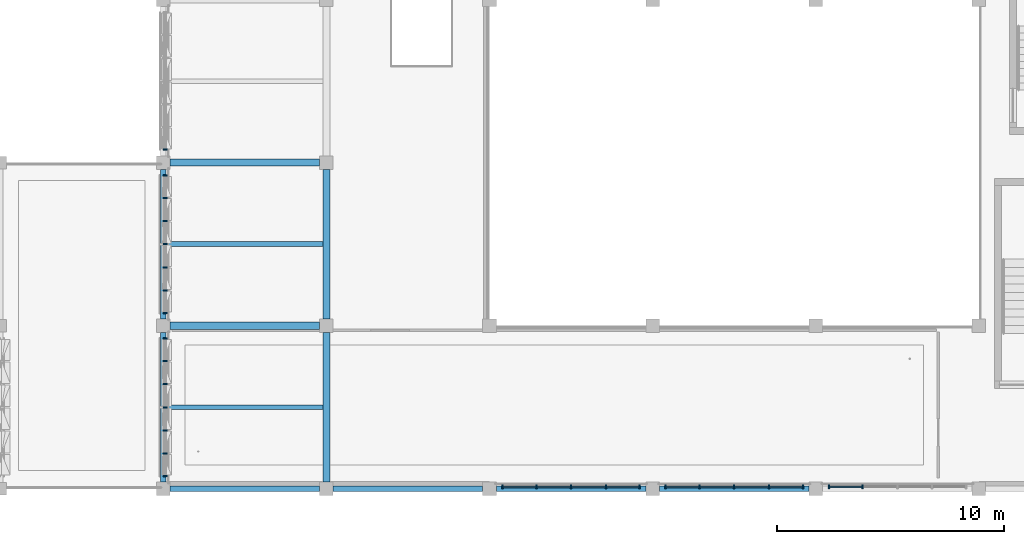
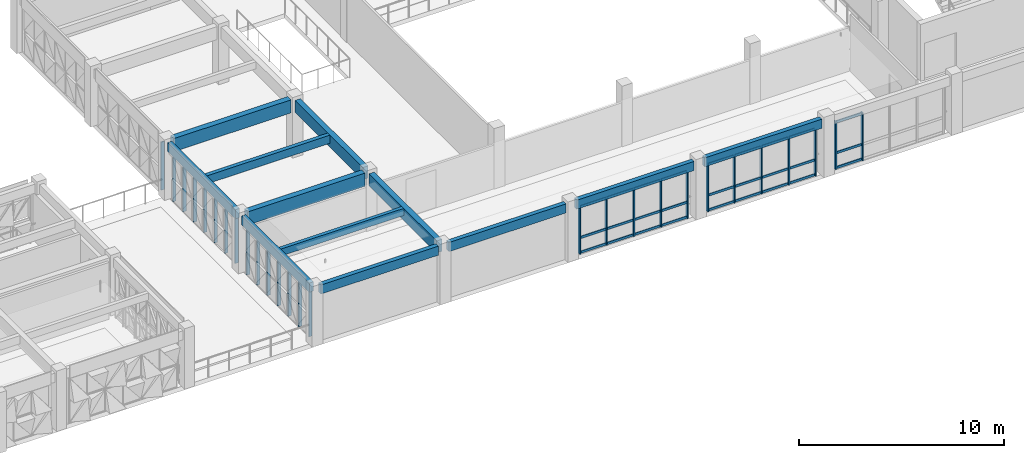
# One storey, part 11 of 85: 54 members, 12 beams, 6 elements without a shape of their own.
"""IFC4 building model written with IfcOpenShell, lengths in metres."""

from ifc_helpers import new_model, si_unit, direction, frame, origin, origin_2d, place, context, subcontext, project, spatial, rectangle, extrude, material, material_profile, profile_set, type_object, element, aggregate, save


model = new_model("IFC4")

# Units and contexts
model_context = context("Model", 3, precision=1e-05, world=origin(), true_north=direction((0.0, 1.0)))
body_context = subcontext(model_context, "Body", "Model", "MODEL_VIEW")
ifc_project = project(units=[si_unit("LENGTHUNIT", "METRE"), si_unit("AREAUNIT", "SQUARE_METRE"), si_unit("VOLUMEUNIT", "CUBIC_METRE"), si_unit("PLANEANGLEUNIT", "RADIAN"), si_unit("MASSUNIT", "GRAM", prefix="KILO")], contexts=[model_context])

# Site, building, storey
site_placement = place(None, origin())
site = spatial("IfcSite", under=ifc_project, at=site_placement, CompositionType="ELEMENT")
building_placement = place(site_placement, origin())
building = spatial("IfcBuilding", under=site, at=building_placement, Name="Alvorim Cloister Faculty of Sciences", CompositionType="ELEMENT")
storey_placement = place(building_placement, frame((0.0, 0.0, 8.550048828125)))
storey = spatial("IfcBuildingStorey", under=building, at=storey_placement, Name="L02", CompositionType="ELEMENT", Elevation=8.550048828125)

# Beams
ifc_material_1 = material(Name="Glulam GL32h", Category="wood")
ifc_material_profile_1 = material_profile(ifc_material_1, rectangle(XDim=0.300048828125, YDim=0.719970703125, at=origin_2d()), Name="GL32-BM-300x720")
ifc_profile_set_1 = profile_set([ifc_material_profile_1], Name="Glulam GL32h")
beam_type_1 = type_object("IfcBeamType", Name="BM-GL-300x720", PredefinedType="BEAM", material=ifc_profile_set_1)
beam_1_placement = place(storey_placement, frame((72.0, 0.300048828125, 3.030029296875), z_axis=(0.0, 1.0, 0.0), x_axis=(-1.0, 0.0, 0.0)))
element("IfcBeam", 1, at=beam_1_placement, inside=storey, type_object=beam_type_1, Name="L02 Primary Girder BM-1425", PredefinedType="BEAM", context=body_context, shape_type="SweptSolid", body=[
    extrude(rectangle(XDim=0.300048828125, YDim=0.719970703125, at=origin_2d()), origin(), (0.0, 0.0, 1.0), 6.599853515625),
])
beam_2_placement = place(storey_placement, frame((72.0, 7.5, 3.030029296875), z_axis=(0.0, 1.0, 0.0), x_axis=(-1.0, 0.0, 0.0)))
element("IfcBeam", 2, at=beam_2_placement, inside=storey, type_object=beam_type_1, Name="L02 Primary Girder BM-1426", PredefinedType="BEAM", context=body_context, shape_type="SweptSolid", body=[
    extrude(rectangle(XDim=0.300048828125, YDim=0.719970703125, at=origin_2d()), origin(), (0.0, 0.0, 1.0), 6.60009765625),
])
ifc_material_profile_2 = material_profile(ifc_material_1, rectangle(XDim=0.320068359375, YDim=0.780029296875, at=origin_2d()), Name="GL32-BM-320x780")
ifc_profile_set_2 = profile_set([ifc_material_profile_2], Name="Glulam GL32h")
beam_type_2 = type_object("IfcBeamType", Name="BM-GL-320x780", PredefinedType="BEAM", material=ifc_profile_set_2)
for number, where, z_axis, x_axis, name in (
    (3, (65.10009765625, 7.199951171875, 3.0), (1.0, 0.0, 0.0), (0.0, 1.0, 0.0), "L02 Primary Beam BM-1265"),
    (4, (65.10009765625, 14.39990234375, 3.0), (1.0, 0.0, 0.0), (0.0, 1.0, 0.0), "L02 Primary Beam BM-1274"),
):
    element("IfcBeam", number, at=place(storey_placement, frame(where, z_axis=z_axis, x_axis=x_axis)), inside=storey, type_object=beam_type_2, Name=name, PredefinedType="BEAM", context=body_context, shape_type="SweptSolid", body=[
        extrude(rectangle(XDim=0.320068359375, YDim=0.780029296875, at=origin_2d()), origin(), (0.0, 0.0, 1.0), 6.599853515625),
    ])
ifc_material_2 = material(Name="Glulam GL28h", Category="wood")
ifc_material_profile_3 = material_profile(ifc_material_2, rectangle(XDim=0.199951171875, YDim=0.419921875, at=origin_2d()), Name="GL28-JST-200x420")
ifc_profile_set_3 = profile_set([ifc_material_profile_3], Name="Glulam GL28h")
beam_type_3 = type_object("IfcBeamType", Name="BM-JST-GL-200x420", PredefinedType="JOIST", material=ifc_profile_set_3)
beam_3_placement = place(storey_placement, frame((64.919921875, 3.60009765625, 3.179931640625), z_axis=(1.0, 0.0, 0.0), x_axis=(0.0, 1.0, 0.0)))
element("IfcBeam", 5, at=beam_3_placement, inside=storey, type_object=beam_type_3, Name="L02 Secondary Floor Joist BM-1493", PredefinedType="JOIST", context=body_context, shape_type="SweptSolid", body=[
    extrude(rectangle(XDim=0.199951171875, YDim=0.419921875, at=origin_2d()), origin(), (0.0, 0.0, 1.0), 6.93017578125),
])
ifc_material_profile_4 = material_profile(ifc_material_2, rectangle(XDim=0.219970703125, YDim=0.47998046875, at=origin_2d()), Name="GL28-JST-220x480")
ifc_profile_set_4 = profile_set([ifc_material_profile_4], Name="Glulam GL28h")
beam_type_4 = type_object("IfcBeamType", Name="BM-JST-GL-220x480", PredefinedType="JOIST", material=ifc_profile_set_4)
beam_4_placement = place(storey_placement, frame((64.919921875, 10.800048828125, 3.14990234375), z_axis=(1.0, 0.0, 0.0), x_axis=(0.0, 1.0, 0.0)))
element("IfcBeam", 6, at=beam_4_placement, inside=storey, type_object=beam_type_4, Name="L02 Secondary Floor Joist BM-1494", PredefinedType="JOIST", context=body_context, shape_type="SweptSolid", body=[
    extrude(rectangle(XDim=0.219970703125, YDim=0.47998046875, at=origin_2d()), origin(), (0.0, 0.0, 1.0), 6.93017578125),
])
ifc_material_profile_5 = material_profile(ifc_material_2, rectangle(XDim=0.239990234375, YDim=0.5400390625, at=origin_2d()), Name="GL28-SPD-240x540")
ifc_profile_set_5 = profile_set([ifc_material_profile_5], Name="Glulam GL28h")
beam_type_5 = type_object("IfcBeamType", Name="BM-SPD-GL-240x540", PredefinedType="SPANDREL", material=ifc_profile_set_5)
for number, where, z_axis, x_axis, name in (
    (7, (65.10009765625, 0.0, 3.119873046875), (1.0, 0.0, 0.0), (0.0, 1.0, 0.0), "L02 Primary Beam BM-1250"),
    (8, (72.300048828125, 0.0, 3.119873046875), (1.0, 0.0, 0.0), (0.0, 1.0, 0.0), "L02 Primary Beam BM-1251"),
):
    element("IfcBeam", number, at=place(storey_placement, frame(where, z_axis=z_axis, x_axis=x_axis)), inside=storey, type_object=beam_type_5, Name=name, PredefinedType="SPANDREL", context=body_context, shape_type="SweptSolid", body=[
        extrude(rectangle(XDim=0.239990234375, YDim=0.5400390625, at=origin_2d()), origin(), (0.0, 0.0, 1.0), 6.599853515625),
    ])
for number, where, z_axis, x_axis, name in (
    (9, (79.5, 0.0, 3.119873046875), (1.0, 0.0, 0.0), (0.0, 1.0, 0.0), "L02 Primary Beam BM-1252"),
    (10, (86.699951171875, 0.0, 3.119873046875), (1.0, 0.0, 0.0), (0.0, 1.0, 0.0), "L02 Primary Beam BM-1253"),
):
    element("IfcBeam", number, at=place(storey_placement, frame(where, z_axis=z_axis, x_axis=x_axis)), inside=storey, type_object=beam_type_5, Name=name, PredefinedType="SPANDREL", context=body_context, shape_type="SweptSolid", body=[
        extrude(rectangle(XDim=0.239990234375, YDim=0.5400390625, at=origin_2d()), origin(), (0.0, 0.0, 1.0), 6.60009765625),
    ])
beam_5_placement = place(storey_placement, frame((64.800048828125, 0.300048828125, 3.119873046875), z_axis=(0.0, 1.0, 0.0), x_axis=(-1.0, 0.0, 0.0)))
element("IfcBeam", 11, at=beam_5_placement, inside=storey, type_object=beam_type_5, Name="L02 Primary Girder BM-1419", PredefinedType="SPANDREL", context=body_context, shape_type="SweptSolid", body=[
    extrude(rectangle(XDim=0.239990234375, YDim=0.5400390625, at=origin_2d()), origin(), (0.0, 0.0, 1.0), 6.599853515625),
])
beam_6_placement = place(storey_placement, frame((64.800048828125, 7.5, 3.119873046875), z_axis=(0.0, 1.0, 0.0), x_axis=(-1.0, 0.0, 0.0)))
element("IfcBeam", 12, at=beam_6_placement, inside=storey, type_object=beam_type_5, Name="L02 Primary Girder BM-1420", PredefinedType="SPANDREL", context=body_context, shape_type="SweptSolid", body=[
    extrude(rectangle(XDim=0.239990234375, YDim=0.5400390625, at=origin_2d()), origin(), (0.0, 0.0, 1.0), 6.60009765625),
])

# Curtain wall, members
ifc_material_3 = material(Name="Aluminium and Low-E Glass Curtain Wall", Category="aluminium")
curtain_wall_type_1 = type_object("IfcCurtainWallType", Name="CW-GLZ-6120x2850", PredefinedType="USERDEFINED", material=ifc_material_3)
curtain_wall_1_placement = place(storey_placement, origin())
curtain_wall_1 = element("IfcCurtainWall", 13, at=curtain_wall_1_placement, inside=storey, type_object=curtain_wall_type_1, Name="L02 Entrance and Atrium Glazed Curtain Wall CW-0090", ObjectType="UNITISED CURTAIN WALL", PredefinedType="USERDEFINED")
ifc_material_4 = material(Name="Aluminium Alloy 6063-T6", Category="aluminium")
ifc_material_profile_6 = material_profile(ifc_material_4, rectangle(XDim=0.06494140625, YDim=0.179931640625, at=origin_2d()), Name="ALU-MUL-65x180")
ifc_profile_set_6 = profile_set([ifc_material_profile_6], Name="Aluminium Alloy 6063-T6")
member_type_1 = type_object("IfcMemberType", Name="CW-MUL-65x180", PredefinedType="MULLION", material=ifc_profile_set_6)
member_1_placement = place(storey_placement, frame((94.172607421875, 0.090087890625, 0.0), z_axis=(0.0, 0.0, 1.0), x_axis=(1.0, 0.0, 0.0)))
member_1 = element("IfcMember", 14, at=member_1_placement, type_object=member_type_1, Name="CW-10 mullion 1", PredefinedType="MULLION", context=body_context, shape_type="SweptSolid", body=[
    extrude(rectangle(XDim=0.06494140625, YDim=0.179931640625, at=origin_2d()), origin(), (0.0, 0.0, 1.0), 2.849853515625),
])
member_2_placement = place(storey_placement, frame((95.669921875, 0.090087890625, 0.0), z_axis=(0.0, 0.0, 1.0), x_axis=(1.0, 0.0, 0.0)))
member_2 = element("IfcMember", 15, at=member_2_placement, type_object=member_type_1, Name="CW-10 mullion 2", PredefinedType="MULLION", context=body_context, shape_type="SweptSolid", body=[
    extrude(rectangle(XDim=0.06494140625, YDim=0.179931640625, at=origin_2d()), origin(), (0.0, 0.0, 1.0), 2.849853515625),
])

curtain_wall_2_placement = place(storey_placement, origin())
curtain_wall_2 = element("IfcCurtainWall", 16, at=curtain_wall_2_placement, inside=storey, type_object=curtain_wall_type_1, Name="L02 Entrance and Atrium Glazed Curtain Wall CW-0091", ObjectType="UNITISED CURTAIN WALL", PredefinedType="USERDEFINED")
member_3_placement = place(storey_placement, frame((86.972412109375, 0.090087890625, 0.0), z_axis=(0.0, 0.0, 1.0), x_axis=(1.0, 0.0, 0.0)))
member_3 = element("IfcMember", 17, at=member_3_placement, type_object=member_type_1, Name="CW-10 mullion 1", PredefinedType="MULLION", context=body_context, shape_type="SweptSolid", body=[
    extrude(rectangle(XDim=0.06494140625, YDim=0.179931640625, at=origin_2d()), origin(), (0.0, 0.0, 1.0), 2.849853515625),
])
member_4_placement = place(storey_placement, frame((88.469970703125, 0.090087890625, 0.0), z_axis=(0.0, 0.0, 1.0), x_axis=(1.0, 0.0, 0.0)))
member_4 = element("IfcMember", 18, at=member_4_placement, type_object=member_type_1, Name="CW-10 mullion 2", PredefinedType="MULLION", context=body_context, shape_type="SweptSolid", body=[
    extrude(rectangle(XDim=0.06494140625, YDim=0.179931640625, at=origin_2d()), origin(), (0.0, 0.0, 1.0), 2.849853515625),
])
member_5_placement = place(storey_placement, frame((90.0, 0.090087890625, 0.0), z_axis=(0.0, 0.0, 1.0), x_axis=(1.0, 0.0, 0.0)))
member_5 = element("IfcMember", 19, at=member_5_placement, type_object=member_type_1, Name="CW-10 mullion 3", PredefinedType="MULLION", context=body_context, shape_type="SweptSolid", body=[
    extrude(rectangle(XDim=0.06494140625, YDim=0.179931640625, at=origin_2d()), origin(), (0.0, 0.0, 1.0), 2.849853515625),
])
member_6_placement = place(storey_placement, frame((91.530029296875, 0.090087890625, 0.0), z_axis=(0.0, 0.0, 1.0), x_axis=(1.0, 0.0, 0.0)))
member_6 = element("IfcMember", 20, at=member_6_placement, type_object=member_type_1, Name="CW-10 mullion 4", PredefinedType="MULLION", context=body_context, shape_type="SweptSolid", body=[
    extrude(rectangle(XDim=0.06494140625, YDim=0.179931640625, at=origin_2d()), origin(), (0.0, 0.0, 1.0), 2.849853515625),
])
member_7_placement = place(storey_placement, frame((93.027587890625, 0.090087890625, 0.0), z_axis=(0.0, 0.0, 1.0), x_axis=(1.0, 0.0, 0.0)))
member_7 = element("IfcMember", 21, at=member_7_placement, type_object=member_type_1, Name="CW-10 mullion 5", PredefinedType="MULLION", context=body_context, shape_type="SweptSolid", body=[
    extrude(rectangle(XDim=0.06494140625, YDim=0.179931640625, at=origin_2d()), origin(), (0.0, 0.0, 1.0), 2.849853515625),
])

curtain_wall_3_placement = place(storey_placement, origin())
curtain_wall_3 = element("IfcCurtainWall", 22, at=curtain_wall_3_placement, inside=storey, type_object=curtain_wall_type_1, Name="L02 Entrance and Atrium Glazed Curtain Wall CW-0092", ObjectType="UNITISED CURTAIN WALL", PredefinedType="USERDEFINED")
member_8_placement = place(storey_placement, frame((79.7724609375, 0.090087890625, 0.0), z_axis=(0.0, 0.0, 1.0), x_axis=(1.0, 0.0, 0.0)))
member_8 = element("IfcMember", 23, at=member_8_placement, type_object=member_type_1, Name="CW-10 mullion 1", PredefinedType="MULLION", context=body_context, shape_type="SweptSolid", body=[
    extrude(rectangle(XDim=0.06494140625, YDim=0.179931640625, at=origin_2d()), origin(), (0.0, 0.0, 1.0), 2.849853515625),
])
member_9_placement = place(storey_placement, frame((81.27001953125, 0.090087890625, 0.0), z_axis=(0.0, 0.0, 1.0), x_axis=(1.0, 0.0, 0.0)))
member_9 = element("IfcMember", 24, at=member_9_placement, type_object=member_type_1, Name="CW-10 mullion 2", PredefinedType="MULLION", context=body_context, shape_type="SweptSolid", body=[
    extrude(rectangle(XDim=0.06494140625, YDim=0.179931640625, at=origin_2d()), origin(), (0.0, 0.0, 1.0), 2.849853515625),
])
member_10_placement = place(storey_placement, frame((82.800048828125, 0.090087890625, 0.0), z_axis=(0.0, 0.0, 1.0), x_axis=(1.0, 0.0, 0.0)))
member_10 = element("IfcMember", 25, at=member_10_placement, type_object=member_type_1, Name="CW-10 mullion 3", PredefinedType="MULLION", context=body_context, shape_type="SweptSolid", body=[
    extrude(rectangle(XDim=0.06494140625, YDim=0.179931640625, at=origin_2d()), origin(), (0.0, 0.0, 1.0), 2.849853515625),
])
member_11_placement = place(storey_placement, frame((84.330078125, 0.090087890625, 0.0), z_axis=(0.0, 0.0, 1.0), x_axis=(1.0, 0.0, 0.0)))
member_11 = element("IfcMember", 26, at=member_11_placement, type_object=member_type_1, Name="CW-10 mullion 4", PredefinedType="MULLION", context=body_context, shape_type="SweptSolid", body=[
    extrude(rectangle(XDim=0.06494140625, YDim=0.179931640625, at=origin_2d()), origin(), (0.0, 0.0, 1.0), 2.849853515625),
])
member_12_placement = place(storey_placement, frame((85.827392578125, 0.090087890625, 0.0), z_axis=(0.0, 0.0, 1.0), x_axis=(1.0, 0.0, 0.0)))
member_12 = element("IfcMember", 27, at=member_12_placement, type_object=member_type_1, Name="CW-10 mullion 5", PredefinedType="MULLION", context=body_context, shape_type="SweptSolid", body=[
    extrude(rectangle(XDim=0.06494140625, YDim=0.179931640625, at=origin_2d()), origin(), (0.0, 0.0, 1.0), 2.849853515625),
])

curtain_wall_type_2 = type_object("IfcCurtainWallType", Name="CW-TRI-6120x2850", PredefinedType="USERDEFINED", material=ifc_material_3)
curtain_wall_4_placement = place(storey_placement, origin())
curtain_wall_4 = element("IfcCurtainWall", 28, at=curtain_wall_4_placement, inside=storey, type_object=curtain_wall_type_2, Name="L02 Diagonal Cassette Curtain Wall CW-0093", ObjectType="UNITISED CURTAIN WALL", PredefinedType="USERDEFINED")
member_13_placement = place(storey_placement, frame((64.889892578125, 0.572509765625, 0.0), z_axis=(0.0, 0.0, 1.0), x_axis=(0.0, 1.0, 0.0)))
member_13 = element("IfcMember", 29, at=member_13_placement, type_object=member_type_1, Name="CW-0093 Mullion 1", PredefinedType="MULLION", context=body_context, shape_type="SweptSolid", body=[
    extrude(rectangle(XDim=0.06494140625, YDim=0.179931640625, at=origin_2d()), origin(), (0.0, 0.0, 1.0), 2.849853515625),
])
member_14_placement = place(storey_placement, frame((64.889892578125, 1.56005859375, 0.0), z_axis=(0.0, 0.0, 1.0), x_axis=(0.0, 1.0, 0.0)))
member_14 = element("IfcMember", 30, at=member_14_placement, type_object=member_type_1, Name="CW-0093 Mullion 2", PredefinedType="MULLION", context=body_context, shape_type="SweptSolid", body=[
    extrude(rectangle(XDim=0.06494140625, YDim=0.179931640625, at=origin_2d()), origin(), (0.0, 0.0, 1.0), 2.849853515625),
])
member_15_placement = place(storey_placement, frame((64.889892578125, 2.580078125, 0.0), z_axis=(0.0, 0.0, 1.0), x_axis=(0.0, 1.0, 0.0)))
member_15 = element("IfcMember", 31, at=member_15_placement, type_object=member_type_1, Name="CW-0093 Mullion 3", PredefinedType="MULLION", context=body_context, shape_type="SweptSolid", body=[
    extrude(rectangle(XDim=0.06494140625, YDim=0.179931640625, at=origin_2d()), origin(), (0.0, 0.0, 1.0), 2.849853515625),
])
member_16_placement = place(storey_placement, frame((64.889892578125, 3.60009765625, 0.0), z_axis=(0.0, 0.0, 1.0), x_axis=(0.0, 1.0, 0.0)))
member_16 = element("IfcMember", 32, at=member_16_placement, type_object=member_type_1, Name="CW-0093 Mullion 4", PredefinedType="MULLION", context=body_context, shape_type="SweptSolid", body=[
    extrude(rectangle(XDim=0.06494140625, YDim=0.179931640625, at=origin_2d()), origin(), (0.0, 0.0, 1.0), 2.849853515625),
])
member_17_placement = place(storey_placement, frame((64.889892578125, 4.6201171875, 0.0), z_axis=(0.0, 0.0, 1.0), x_axis=(0.0, 1.0, 0.0)))
member_17 = element("IfcMember", 33, at=member_17_placement, type_object=member_type_1, Name="CW-0093 Mullion 5", PredefinedType="MULLION", context=body_context, shape_type="SweptSolid", body=[
    extrude(rectangle(XDim=0.06494140625, YDim=0.179931640625, at=origin_2d()), origin(), (0.0, 0.0, 1.0), 2.849853515625),
])
member_18_placement = place(storey_placement, frame((64.889892578125, 5.639892578125, 0.0), z_axis=(0.0, 0.0, 1.0), x_axis=(0.0, 1.0, 0.0)))
member_18 = element("IfcMember", 34, at=member_18_placement, type_object=member_type_1, Name="CW-0093 Mullion 6", PredefinedType="MULLION", context=body_context, shape_type="SweptSolid", body=[
    extrude(rectangle(XDim=0.06494140625, YDim=0.179931640625, at=origin_2d()), origin(), (0.0, 0.0, 1.0), 2.849853515625),
])
member_19_placement = place(storey_placement, frame((64.889892578125, 6.62744140625, 0.0), z_axis=(0.0, 0.0, 1.0), x_axis=(0.0, 1.0, 0.0)))
member_19 = element("IfcMember", 35, at=member_19_placement, type_object=member_type_1, Name="CW-0093 Mullion 7", PredefinedType="MULLION", context=body_context, shape_type="SweptSolid", body=[
    extrude(rectangle(XDim=0.06494140625, YDim=0.179931640625, at=origin_2d()), origin(), (0.0, 0.0, 1.0), 2.849853515625),
])
aggregate(curtain_wall_4, [member_13, member_14, member_15, member_16, member_17, member_18, member_19])

curtain_wall_5_placement = place(storey_placement, origin())
curtain_wall_5 = element("IfcCurtainWall", 36, at=curtain_wall_5_placement, inside=storey, type_object=curtain_wall_type_2, Name="L02 Diagonal Cassette Curtain Wall CW-0094", ObjectType="UNITISED CURTAIN WALL", PredefinedType="USERDEFINED")
member_20_placement = place(storey_placement, frame((64.889892578125, 7.7724609375, 0.0), z_axis=(0.0, 0.0, 1.0), x_axis=(0.0, 1.0, 0.0)))
member_20 = element("IfcMember", 37, at=member_20_placement, type_object=member_type_1, Name="CW-0094 Mullion 1", PredefinedType="MULLION", context=body_context, shape_type="SweptSolid", body=[
    extrude(rectangle(XDim=0.06494140625, YDim=0.179931640625, at=origin_2d()), origin(), (0.0, 0.0, 1.0), 2.849853515625),
])
member_21_placement = place(storey_placement, frame((64.889892578125, 8.760009765625, 0.0), z_axis=(0.0, 0.0, 1.0), x_axis=(0.0, 1.0, 0.0)))
member_21 = element("IfcMember", 38, at=member_21_placement, type_object=member_type_1, Name="CW-0094 Mullion 2", PredefinedType="MULLION", context=body_context, shape_type="SweptSolid", body=[
    extrude(rectangle(XDim=0.06494140625, YDim=0.179931640625, at=origin_2d()), origin(), (0.0, 0.0, 1.0), 2.849853515625),
])
member_22_placement = place(storey_placement, frame((64.889892578125, 9.780029296875, 0.0), z_axis=(0.0, 0.0, 1.0), x_axis=(0.0, 1.0, 0.0)))
member_22 = element("IfcMember", 39, at=member_22_placement, type_object=member_type_1, Name="CW-0094 Mullion 3", PredefinedType="MULLION", context=body_context, shape_type="SweptSolid", body=[
    extrude(rectangle(XDim=0.06494140625, YDim=0.179931640625, at=origin_2d()), origin(), (0.0, 0.0, 1.0), 2.849853515625),
])
member_23_placement = place(storey_placement, frame((64.889892578125, 10.800048828125, 0.0), z_axis=(0.0, 0.0, 1.0), x_axis=(0.0, 1.0, 0.0)))
member_23 = element("IfcMember", 40, at=member_23_placement, type_object=member_type_1, Name="CW-0094 Mullion 4", PredefinedType="MULLION", context=body_context, shape_type="SweptSolid", body=[
    extrude(rectangle(XDim=0.06494140625, YDim=0.179931640625, at=origin_2d()), origin(), (0.0, 0.0, 1.0), 2.849853515625),
])
member_24_placement = place(storey_placement, frame((64.889892578125, 11.820068359375, 0.0), z_axis=(0.0, 0.0, 1.0), x_axis=(0.0, 1.0, 0.0)))
member_24 = element("IfcMember", 41, at=member_24_placement, type_object=member_type_1, Name="CW-0094 Mullion 5", PredefinedType="MULLION", context=body_context, shape_type="SweptSolid", body=[
    extrude(rectangle(XDim=0.06494140625, YDim=0.179931640625, at=origin_2d()), origin(), (0.0, 0.0, 1.0), 2.849853515625),
])
member_25_placement = place(storey_placement, frame((64.889892578125, 12.840087890625, 0.0), z_axis=(0.0, 0.0, 1.0), x_axis=(0.0, 1.0, 0.0)))
member_25 = element("IfcMember", 42, at=member_25_placement, type_object=member_type_1, Name="CW-0094 Mullion 6", PredefinedType="MULLION", context=body_context, shape_type="SweptSolid", body=[
    extrude(rectangle(XDim=0.06494140625, YDim=0.179931640625, at=origin_2d()), origin(), (0.0, 0.0, 1.0), 2.849853515625),
])
member_26_placement = place(storey_placement, frame((64.889892578125, 13.827392578125, 0.0), z_axis=(0.0, 0.0, 1.0), x_axis=(0.0, 1.0, 0.0)))
member_26 = element("IfcMember", 43, at=member_26_placement, type_object=member_type_1, Name="CW-0094 Mullion 7", PredefinedType="MULLION", context=body_context, shape_type="SweptSolid", body=[
    extrude(rectangle(XDim=0.06494140625, YDim=0.179931640625, at=origin_2d()), origin(), (0.0, 0.0, 1.0), 2.849853515625),
])
aggregate(curtain_wall_5, [member_20, member_21, member_22, member_23, member_24, member_25, member_26])

# Curtain wall, member
curtain_wall_6_placement = place(storey_placement, origin())
curtain_wall_6 = element("IfcCurtainWall", 44, at=curtain_wall_6_placement, inside=storey, type_object=curtain_wall_type_2, Name="L02 Diagonal Cassette Curtain Wall CW-0095", ObjectType="UNITISED CURTAIN WALL", PredefinedType="USERDEFINED")
member_27_placement = place(storey_placement, frame((64.889892578125, 14.972412109375, 0.0), z_axis=(0.0, 0.0, 1.0), x_axis=(0.0, 1.0, 0.0)))
member_27 = element("IfcMember", 45, at=member_27_placement, type_object=member_type_1, Name="CW-0095 Mullion 1", PredefinedType="MULLION", context=body_context, shape_type="SweptSolid", body=[
    extrude(rectangle(XDim=0.06494140625, YDim=0.179931640625, at=origin_2d()), origin(), (0.0, 0.0, 1.0), 2.849853515625),
])
aggregate(curtain_wall_6, [member_27])

# Member
ifc_material_profile_7 = material_profile(ifc_material_4, rectangle(XDim=0.06494140625, YDim=0.139892578125, at=origin_2d()), Name="ALU-TRN-65x140")
ifc_profile_set_7 = profile_set([ifc_material_profile_7], Name="Aluminium Alloy 6063-T6")
member_type_2 = type_object("IfcMemberType", Name="CW-TRN-65x140", PredefinedType="USERDEFINED", material=ifc_profile_set_7)
member_28_placement = place(storey_placement, frame((94.205078125, 0.090087890625, 0.070068359375), z_axis=(1.0, 0.0, 0.0), x_axis=(0.0, 1.0, 0.0)))
member_28 = element("IfcMember", 46, at=member_28_placement, type_object=member_type_2, Name="CW-10 transom 1.1", ObjectType="TRANSOM", PredefinedType="USERDEFINED", context=body_context, shape_type="SweptSolid", body=[
    extrude(rectangle(XDim=0.06494140625, YDim=0.139892578125, at=origin_2d()), origin(), (0.0, 0.0, 1.0), 1.432373046875),
])

member_29_placement = place(storey_placement, frame((94.205078125, 0.090087890625, 0.949951171875), z_axis=(1.0, 0.0, 0.0), x_axis=(0.0, 1.0, 0.0)))
member_29 = element("IfcMember", 47, at=member_29_placement, type_object=member_type_2, Name="CW-10 transom 1.2", ObjectType="TRANSOM", PredefinedType="USERDEFINED", context=body_context, shape_type="SweptSolid", body=[
    extrude(rectangle(XDim=0.06494140625, YDim=0.139892578125, at=origin_2d()), origin(), (0.0, 0.0, 1.0), 1.432373046875),
])

member_30_placement = place(storey_placement, frame((94.205078125, 0.090087890625, 2.780029296875), z_axis=(1.0, 0.0, 0.0), x_axis=(0.0, 1.0, 0.0)))
member_30 = element("IfcMember", 48, at=member_30_placement, type_object=member_type_2, Name="CW-10 transom 1.3", ObjectType="TRANSOM", PredefinedType="USERDEFINED", context=body_context, shape_type="SweptSolid", body=[
    extrude(rectangle(XDim=0.06494140625, YDim=0.139892578125, at=origin_2d()), origin(), (0.0, 0.0, 1.0), 1.432373046875),
])

aggregate(curtain_wall_1, [member_1, member_2, member_28, member_29, member_30])

member_31_placement = place(storey_placement, frame((87.0048828125, 0.090087890625, 0.070068359375), z_axis=(1.0, 0.0, 0.0), x_axis=(0.0, 1.0, 0.0)))
member_31 = element("IfcMember", 49, at=member_31_placement, type_object=member_type_2, Name="CW-10 transom 1.1", ObjectType="TRANSOM", PredefinedType="USERDEFINED", context=body_context, shape_type="SweptSolid", body=[
    extrude(rectangle(XDim=0.06494140625, YDim=0.139892578125, at=origin_2d()), origin(), (0.0, 0.0, 1.0), 1.4326171875),
])

member_32_placement = place(storey_placement, frame((87.0048828125, 0.090087890625, 0.949951171875), z_axis=(1.0, 0.0, 0.0), x_axis=(0.0, 1.0, 0.0)))
member_32 = element("IfcMember", 50, at=member_32_placement, type_object=member_type_2, Name="CW-10 transom 1.2", ObjectType="TRANSOM", PredefinedType="USERDEFINED", context=body_context, shape_type="SweptSolid", body=[
    extrude(rectangle(XDim=0.06494140625, YDim=0.139892578125, at=origin_2d()), origin(), (0.0, 0.0, 1.0), 1.4326171875),
])

member_33_placement = place(storey_placement, frame((87.0048828125, 0.090087890625, 2.780029296875), z_axis=(1.0, 0.0, 0.0), x_axis=(0.0, 1.0, 0.0)))
member_33 = element("IfcMember", 51, at=member_33_placement, type_object=member_type_2, Name="CW-10 transom 1.3", ObjectType="TRANSOM", PredefinedType="USERDEFINED", context=body_context, shape_type="SweptSolid", body=[
    extrude(rectangle(XDim=0.06494140625, YDim=0.139892578125, at=origin_2d()), origin(), (0.0, 0.0, 1.0), 1.4326171875),
])

member_34_placement = place(storey_placement, frame((88.50244140625, 0.090087890625, 0.070068359375), z_axis=(1.0, 0.0, 0.0), x_axis=(0.0, 1.0, 0.0)))
member_34 = element("IfcMember", 52, at=member_34_placement, type_object=member_type_2, Name="CW-10 transom 2.1", ObjectType="TRANSOM", PredefinedType="USERDEFINED", context=body_context, shape_type="SweptSolid", body=[
    extrude(rectangle(XDim=0.06494140625, YDim=0.139892578125, at=origin_2d()), origin(), (0.0, 0.0, 1.0), 1.465087890625),
])

member_35_placement = place(storey_placement, frame((88.50244140625, 0.090087890625, 0.949951171875), z_axis=(1.0, 0.0, 0.0), x_axis=(0.0, 1.0, 0.0)))
member_35 = element("IfcMember", 53, at=member_35_placement, type_object=member_type_2, Name="CW-10 transom 2.2", ObjectType="TRANSOM", PredefinedType="USERDEFINED", context=body_context, shape_type="SweptSolid", body=[
    extrude(rectangle(XDim=0.06494140625, YDim=0.139892578125, at=origin_2d()), origin(), (0.0, 0.0, 1.0), 1.465087890625),
])

member_36_placement = place(storey_placement, frame((88.50244140625, 0.090087890625, 2.780029296875), z_axis=(1.0, 0.0, 0.0), x_axis=(0.0, 1.0, 0.0)))
member_36 = element("IfcMember", 54, at=member_36_placement, type_object=member_type_2, Name="CW-10 transom 2.3", ObjectType="TRANSOM", PredefinedType="USERDEFINED", context=body_context, shape_type="SweptSolid", body=[
    extrude(rectangle(XDim=0.06494140625, YDim=0.139892578125, at=origin_2d()), origin(), (0.0, 0.0, 1.0), 1.465087890625),
])

member_37_placement = place(storey_placement, frame((90.032470703125, 0.090087890625, 0.070068359375), z_axis=(1.0, 0.0, 0.0), x_axis=(0.0, 1.0, 0.0)))
member_37 = element("IfcMember", 55, at=member_37_placement, type_object=member_type_2, Name="CW-10 transom 3.1", ObjectType="TRANSOM", PredefinedType="USERDEFINED", context=body_context, shape_type="SweptSolid", body=[
    extrude(rectangle(XDim=0.06494140625, YDim=0.139892578125, at=origin_2d()), origin(), (0.0, 0.0, 1.0), 1.465087890625),
])

member_38_placement = place(storey_placement, frame((90.032470703125, 0.090087890625, 0.949951171875), z_axis=(1.0, 0.0, 0.0), x_axis=(0.0, 1.0, 0.0)))
member_38 = element("IfcMember", 56, at=member_38_placement, type_object=member_type_2, Name="CW-10 transom 3.2", ObjectType="TRANSOM", PredefinedType="USERDEFINED", context=body_context, shape_type="SweptSolid", body=[
    extrude(rectangle(XDim=0.06494140625, YDim=0.139892578125, at=origin_2d()), origin(), (0.0, 0.0, 1.0), 1.465087890625),
])

member_39_placement = place(storey_placement, frame((90.032470703125, 0.090087890625, 2.780029296875), z_axis=(1.0, 0.0, 0.0), x_axis=(0.0, 1.0, 0.0)))
member_39 = element("IfcMember", 57, at=member_39_placement, type_object=member_type_2, Name="CW-10 transom 3.3", ObjectType="TRANSOM", PredefinedType="USERDEFINED", context=body_context, shape_type="SweptSolid", body=[
    extrude(rectangle(XDim=0.06494140625, YDim=0.139892578125, at=origin_2d()), origin(), (0.0, 0.0, 1.0), 1.465087890625),
])

member_40_placement = place(storey_placement, frame((91.5625, 0.090087890625, 0.070068359375), z_axis=(1.0, 0.0, 0.0), x_axis=(0.0, 1.0, 0.0)))
member_40 = element("IfcMember", 58, at=member_40_placement, type_object=member_type_2, Name="CW-10 transom 4.1", ObjectType="TRANSOM", PredefinedType="USERDEFINED", context=body_context, shape_type="SweptSolid", body=[
    extrude(rectangle(XDim=0.06494140625, YDim=0.139892578125, at=origin_2d()), origin(), (0.0, 0.0, 1.0), 1.4326171875),
])

member_41_placement = place(storey_placement, frame((91.5625, 0.090087890625, 0.949951171875), z_axis=(1.0, 0.0, 0.0), x_axis=(0.0, 1.0, 0.0)))
member_41 = element("IfcMember", 59, at=member_41_placement, type_object=member_type_2, Name="CW-10 transom 4.2", ObjectType="TRANSOM", PredefinedType="USERDEFINED", context=body_context, shape_type="SweptSolid", body=[
    extrude(rectangle(XDim=0.06494140625, YDim=0.139892578125, at=origin_2d()), origin(), (0.0, 0.0, 1.0), 1.4326171875),
])

member_42_placement = place(storey_placement, frame((91.5625, 0.090087890625, 2.780029296875), z_axis=(1.0, 0.0, 0.0), x_axis=(0.0, 1.0, 0.0)))
member_42 = element("IfcMember", 60, at=member_42_placement, type_object=member_type_2, Name="CW-10 transom 4.3", ObjectType="TRANSOM", PredefinedType="USERDEFINED", context=body_context, shape_type="SweptSolid", body=[
    extrude(rectangle(XDim=0.06494140625, YDim=0.139892578125, at=origin_2d()), origin(), (0.0, 0.0, 1.0), 1.4326171875),
])

aggregate(curtain_wall_2, [member_3, member_4, member_5, member_6, member_7, member_31, member_32, member_33, member_34, member_35, member_36, member_37, member_38, member_39, member_40, member_41, member_42])

member_43_placement = place(storey_placement, frame((79.804931640625, 0.090087890625, 0.070068359375), z_axis=(1.0, 0.0, 0.0), x_axis=(0.0, 1.0, 0.0)))
member_43 = element("IfcMember", 61, at=member_43_placement, type_object=member_type_2, Name="CW-10 transom 1.1", ObjectType="TRANSOM", PredefinedType="USERDEFINED", context=body_context, shape_type="SweptSolid", body=[
    extrude(rectangle(XDim=0.06494140625, YDim=0.139892578125, at=origin_2d()), origin(), (0.0, 0.0, 1.0), 1.4326171875),
])

member_44_placement = place(storey_placement, frame((79.804931640625, 0.090087890625, 0.949951171875), z_axis=(1.0, 0.0, 0.0), x_axis=(0.0, 1.0, 0.0)))
member_44 = element("IfcMember", 62, at=member_44_placement, type_object=member_type_2, Name="CW-10 transom 1.2", ObjectType="TRANSOM", PredefinedType="USERDEFINED", context=body_context, shape_type="SweptSolid", body=[
    extrude(rectangle(XDim=0.06494140625, YDim=0.139892578125, at=origin_2d()), origin(), (0.0, 0.0, 1.0), 1.4326171875),
])

member_45_placement = place(storey_placement, frame((79.804931640625, 0.090087890625, 2.780029296875), z_axis=(1.0, 0.0, 0.0), x_axis=(0.0, 1.0, 0.0)))
member_45 = element("IfcMember", 63, at=member_45_placement, type_object=member_type_2, Name="CW-10 transom 1.3", ObjectType="TRANSOM", PredefinedType="USERDEFINED", context=body_context, shape_type="SweptSolid", body=[
    extrude(rectangle(XDim=0.06494140625, YDim=0.139892578125, at=origin_2d()), origin(), (0.0, 0.0, 1.0), 1.4326171875),
])

member_46_placement = place(storey_placement, frame((81.302490234375, 0.090087890625, 0.070068359375), z_axis=(1.0, 0.0, 0.0), x_axis=(0.0, 1.0, 0.0)))
member_46 = element("IfcMember", 64, at=member_46_placement, type_object=member_type_2, Name="CW-10 transom 2.1", ObjectType="TRANSOM", PredefinedType="USERDEFINED", context=body_context, shape_type="SweptSolid", body=[
    extrude(rectangle(XDim=0.06494140625, YDim=0.139892578125, at=origin_2d()), origin(), (0.0, 0.0, 1.0), 1.465087890625),
])

member_47_placement = place(storey_placement, frame((81.302490234375, 0.090087890625, 0.949951171875), z_axis=(1.0, 0.0, 0.0), x_axis=(0.0, 1.0, 0.0)))
member_47 = element("IfcMember", 65, at=member_47_placement, type_object=member_type_2, Name="CW-10 transom 2.2", ObjectType="TRANSOM", PredefinedType="USERDEFINED", context=body_context, shape_type="SweptSolid", body=[
    extrude(rectangle(XDim=0.06494140625, YDim=0.139892578125, at=origin_2d()), origin(), (0.0, 0.0, 1.0), 1.465087890625),
])

member_48_placement = place(storey_placement, frame((81.302490234375, 0.090087890625, 2.780029296875), z_axis=(1.0, 0.0, 0.0), x_axis=(0.0, 1.0, 0.0)))
member_48 = element("IfcMember", 66, at=member_48_placement, type_object=member_type_2, Name="CW-10 transom 2.3", ObjectType="TRANSOM", PredefinedType="USERDEFINED", context=body_context, shape_type="SweptSolid", body=[
    extrude(rectangle(XDim=0.06494140625, YDim=0.139892578125, at=origin_2d()), origin(), (0.0, 0.0, 1.0), 1.465087890625),
])

member_49_placement = place(storey_placement, frame((82.83251953125, 0.090087890625, 0.070068359375), z_axis=(1.0, 0.0, 0.0), x_axis=(0.0, 1.0, 0.0)))
member_49 = element("IfcMember", 67, at=member_49_placement, type_object=member_type_2, Name="CW-10 transom 3.1", ObjectType="TRANSOM", PredefinedType="USERDEFINED", context=body_context, shape_type="SweptSolid", body=[
    extrude(rectangle(XDim=0.06494140625, YDim=0.139892578125, at=origin_2d()), origin(), (0.0, 0.0, 1.0), 1.465087890625),
])

member_50_placement = place(storey_placement, frame((82.83251953125, 0.090087890625, 0.949951171875), z_axis=(1.0, 0.0, 0.0), x_axis=(0.0, 1.0, 0.0)))
member_50 = element("IfcMember", 68, at=member_50_placement, type_object=member_type_2, Name="CW-10 transom 3.2", ObjectType="TRANSOM", PredefinedType="USERDEFINED", context=body_context, shape_type="SweptSolid", body=[
    extrude(rectangle(XDim=0.06494140625, YDim=0.139892578125, at=origin_2d()), origin(), (0.0, 0.0, 1.0), 1.465087890625),
])

member_51_placement = place(storey_placement, frame((82.83251953125, 0.090087890625, 2.780029296875), z_axis=(1.0, 0.0, 0.0), x_axis=(0.0, 1.0, 0.0)))
member_51 = element("IfcMember", 69, at=member_51_placement, type_object=member_type_2, Name="CW-10 transom 3.3", ObjectType="TRANSOM", PredefinedType="USERDEFINED", context=body_context, shape_type="SweptSolid", body=[
    extrude(rectangle(XDim=0.06494140625, YDim=0.139892578125, at=origin_2d()), origin(), (0.0, 0.0, 1.0), 1.465087890625),
])

member_52_placement = place(storey_placement, frame((84.362548828125, 0.090087890625, 0.070068359375), z_axis=(1.0, 0.0, 0.0), x_axis=(0.0, 1.0, 0.0)))
member_52 = element("IfcMember", 70, at=member_52_placement, type_object=member_type_2, Name="CW-10 transom 4.1", ObjectType="TRANSOM", PredefinedType="USERDEFINED", context=body_context, shape_type="SweptSolid", body=[
    extrude(rectangle(XDim=0.06494140625, YDim=0.139892578125, at=origin_2d()), origin(), (0.0, 0.0, 1.0), 1.432373046875),
])

member_53_placement = place(storey_placement, frame((84.362548828125, 0.090087890625, 0.949951171875), z_axis=(1.0, 0.0, 0.0), x_axis=(0.0, 1.0, 0.0)))
member_53 = element("IfcMember", 71, at=member_53_placement, type_object=member_type_2, Name="CW-10 transom 4.2", ObjectType="TRANSOM", PredefinedType="USERDEFINED", context=body_context, shape_type="SweptSolid", body=[
    extrude(rectangle(XDim=0.06494140625, YDim=0.139892578125, at=origin_2d()), origin(), (0.0, 0.0, 1.0), 1.432373046875),
])

member_54_placement = place(storey_placement, frame((84.362548828125, 0.090087890625, 2.780029296875), z_axis=(1.0, 0.0, 0.0), x_axis=(0.0, 1.0, 0.0)))
member_54 = element("IfcMember", 72, at=member_54_placement, type_object=member_type_2, Name="CW-10 transom 4.3", ObjectType="TRANSOM", PredefinedType="USERDEFINED", context=body_context, shape_type="SweptSolid", body=[
    extrude(rectangle(XDim=0.06494140625, YDim=0.139892578125, at=origin_2d()), origin(), (0.0, 0.0, 1.0), 1.432373046875),
])

aggregate(curtain_wall_3, [member_8, member_9, member_10, member_11, member_12, member_43, member_44, member_45, member_46, member_47, member_48, member_49, member_50, member_51, member_52, member_53, member_54])

save(model, "model.ifc")
